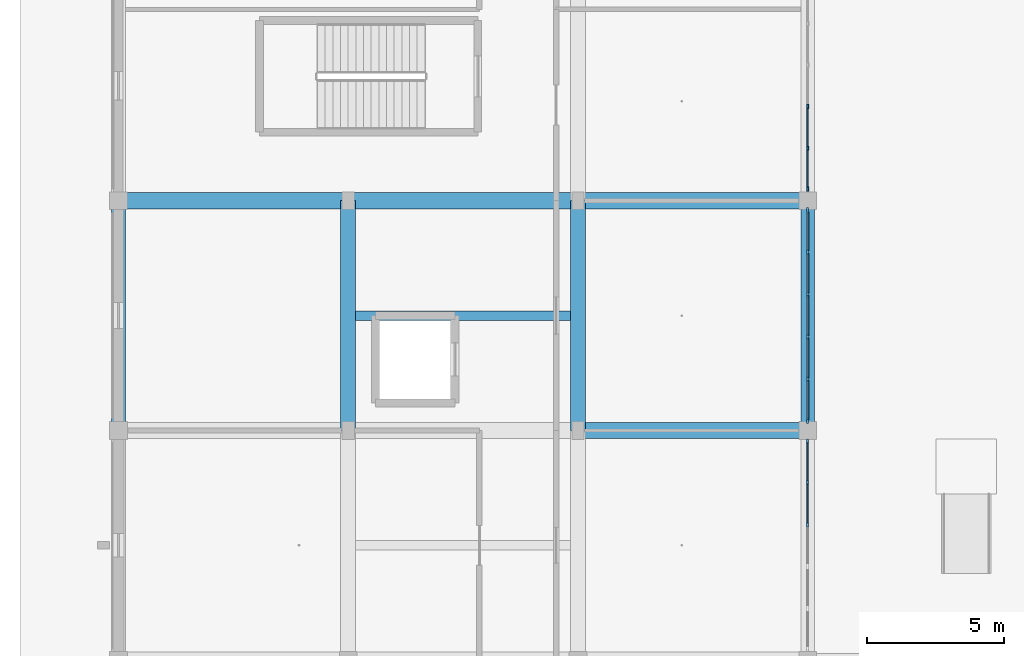
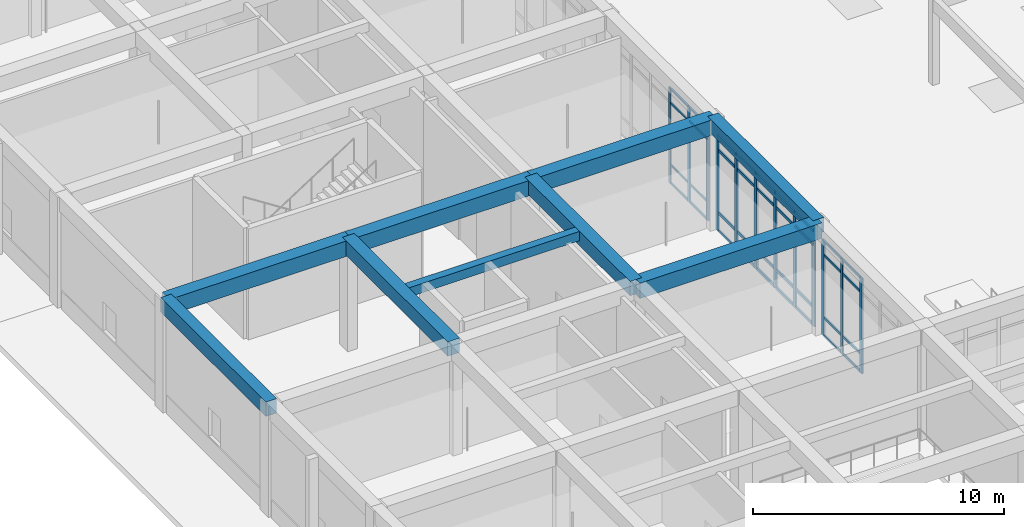
# One storey, part 14 of 167: 48 members, 9 beams, 3 elements without a shape of their own.
"""IFC4 building model written with IfcOpenShell, lengths in metres."""

from ifc_helpers import new_model, si_unit, direction, frame, origin, origin_2d, place, context, subcontext, project, spatial, rectangle, extrude, material, material_profile, profile_set, type_object, element, aggregate, save


model = new_model("IFC4")

# Units and contexts
model_context = context("Model", 3, precision=1e-05, world=origin(), true_north=direction((0.0, 1.0)))
body_context = subcontext(model_context, "Body", "Model", "MODEL_VIEW")
ifc_project = project(units=[si_unit("LENGTHUNIT", "METRE"), si_unit("AREAUNIT", "SQUARE_METRE"), si_unit("VOLUMEUNIT", "CUBIC_METRE"), si_unit("PLANEANGLEUNIT", "RADIAN"), si_unit("MASSUNIT", "GRAM", prefix="KILO")], contexts=[model_context])

# Site, building, storey
site_placement = place(None, origin())
site = spatial("IfcSite", under=ifc_project, at=site_placement, CompositionType="ELEMENT")
building_placement = place(site_placement, origin())
building = spatial("IfcBuilding", under=site, at=building_placement, Name="Varncliffe General Hospital", CompositionType="ELEMENT")
storey_placement = place(building_placement, origin())
storey = spatial("IfcBuildingStorey", under=building, at=storey_placement, Name="L00", CompositionType="ELEMENT", Elevation=0.0)

# Beams
ifc_material_1 = material(Name="Concrete C35/45 (CSA A23.1 35 MPa)", Category="concrete")
ifc_material_profile_1 = material_profile(ifc_material_1, rectangle(XDim=0.60009765625, YDim=0.75, at=origin_2d()), Name="RC 600x750")
ifc_profile_set_1 = profile_set([ifc_material_profile_1], Name="Concrete C35/45 (CSA A23.1 35 MPa)")
beam_type_1 = type_object("IfcBeamType", Name="Beam B23 (Int RC 600x750)", PredefinedType="BEAM", material=ifc_profile_set_1)
for number, where, z_axis, x_axis, name in (
    (1, (16.800048828125, 49.199951171875, 5.02490234375), (1.0, 0.0, 0.0), (0.0, 1.0, 0.0), "L00 Primary Beam B23-69"),
    (2, (0.0, 57.60009765625, 5.02490234375), (1.0, 0.0, 0.0), (0.0, 1.0, 0.0), "L00 Primary Beam B23-73"),
):
    element("IfcBeam", number, at=place(storey_placement, frame(where, z_axis=z_axis, x_axis=x_axis)), inside=storey, type_object=beam_type_1, Name=name, PredefinedType="BEAM", context=body_context, shape_type="SweptSolid", body=[
        extrude(rectangle(XDim=0.60009765625, YDim=0.75, at=origin_2d()), origin(), (0.0, 0.0, 1.0), 8.39990234375),
    ])
beam_1_placement = place(storey_placement, frame((8.39990234375, 57.60009765625, 5.02490234375), z_axis=(1.0, 0.0, 0.0), x_axis=(0.0, 1.0, 0.0)))
element("IfcBeam", 3, at=beam_1_placement, inside=storey, type_object=beam_type_1, Name="L00 Primary Beam B23-74", PredefinedType="BEAM", context=body_context, shape_type="SweptSolid", body=[
    extrude(rectangle(XDim=0.60009765625, YDim=0.75, at=origin_2d()), origin(), (0.0, 0.0, 1.0), 8.400146484375),
])
beam_2_placement = place(storey_placement, frame((16.800048828125, 57.60009765625, 5.02490234375), z_axis=(1.0, 0.0, 0.0), x_axis=(0.0, 1.0, 0.0)))
element("IfcBeam", 4, at=beam_2_placement, inside=storey, type_object=beam_type_1, Name="L00 Primary Beam B23-75", PredefinedType="BEAM", context=body_context, shape_type="SweptSolid", body=[
    extrude(rectangle(XDim=0.60009765625, YDim=0.75, at=origin_2d()), origin(), (0.0, 0.0, 1.0), 8.39990234375),
])
ifc_material_profile_2 = material_profile(ifc_material_1, rectangle(XDim=0.550048828125, YDim=0.699951171875, at=origin_2d()), Name="RC 550x700")
ifc_profile_set_2 = profile_set([ifc_material_profile_2], Name="Concrete C35/45 (CSA A23.1 35 MPa)")
beam_type_2 = type_object("IfcBeamType", Name="Beam B35 (Int RC 550x700)", PredefinedType="BEAM", material=ifc_profile_set_2)
for number, where, z_axis, x_axis, name in (
    (5, (8.39990234375, 49.199951171875, 5.050048828125), (0.0, 1.0, 0.0), (-1.0, 0.0, 0.0), "L00 Primary Beam B35-281"),
    (6, (16.800048828125, 49.199951171875, 5.050048828125), (0.0, 1.0, 0.0), (-1.0, 0.0, 0.0), "L00 Primary Beam B35-297"),
):
    element("IfcBeam", number, at=place(storey_placement, frame(where, z_axis=z_axis, x_axis=x_axis)), inside=storey, type_object=beam_type_2, Name=name, PredefinedType="BEAM", context=body_context, shape_type="SweptSolid", body=[
        extrude(rectangle(XDim=0.550048828125, YDim=0.699951171875, at=origin_2d()), origin(), (0.0, 0.0, 1.0), 8.400146484375),
    ])

# Curtain wall, members
ifc_material_2 = material(Name="Triple low-E argon insulated vision glazing", Category="glass")
curtain_wall_type_1 = type_object("IfcCurtainWallType", Name="Unitised Glazed Curtain Wall CW15 (7674x4640)", PredefinedType="USERDEFINED", material=ifc_material_2)
curtain_wall_1_placement = place(storey_placement, origin())
curtain_wall_1 = element("IfcCurtainWall", 7, at=curtain_wall_1_placement, inside=storey, type_object=curtain_wall_type_1, Name="L00 Glazed Curtain Wall CW15-16", ObjectType="GLAZED CURTAIN WALL", PredefinedType="USERDEFINED")
ifc_material_3 = material(Name="Dark bronze thermally broken aluminium framing", Category="aluminium")
ifc_material_profile_3 = material_profile(ifc_material_3, rectangle(XDim=0.074951171875, YDim=0.179931640625, at=origin_2d()), Name="ALU 75x180")
ifc_profile_set_3 = profile_set([ifc_material_profile_3], Name="Dark bronze thermally broken aluminium framing")
member_type_1 = type_object("IfcMemberType", Name="Curtain Wall Mullion CM44 (ALU 75x180)", PredefinedType="MULLION", material=ifc_profile_set_3)
member_1_placement = place(storey_placement, frame((25.199951171875, 48.799560546875, 0.0), z_axis=(0.0, 0.0, 1.0), x_axis=(1.0, 0.0, 0.0)))
member_1 = element("IfcMember", 8, at=member_1_placement, type_object=member_type_1, Name="CW15 mullion 1", PredefinedType="MULLION", context=body_context, shape_type="SweptSolid", body=[
    extrude(rectangle(XDim=0.074951171875, YDim=0.179931640625, at=origin_2d()), origin(), (0.0, 0.0, 1.0), 4.639892578125),
])
member_2_placement = place(storey_placement, frame((25.199951171875, 47.30224609375, 0.0), z_axis=(0.0, 0.0, 1.0), x_axis=(1.0, 0.0, 0.0)))
member_2 = element("IfcMember", 9, at=member_2_placement, type_object=member_type_1, Name="CW15 mullion 2", PredefinedType="MULLION", context=body_context, shape_type="SweptSolid", body=[
    extrude(rectangle(XDim=0.074951171875, YDim=0.179931640625, at=origin_2d()), origin(), (0.0, 0.0, 1.0), 4.639892578125),
])
member_3_placement = place(storey_placement, frame((25.199951171875, 45.767333984375, 0.0), z_axis=(0.0, 0.0, 1.0), x_axis=(1.0, 0.0, 0.0)))
member_3 = element("IfcMember", 10, at=member_3_placement, type_object=member_type_1, Name="CW15 mullion 3", PredefinedType="MULLION", context=body_context, shape_type="SweptSolid", body=[
    extrude(rectangle(XDim=0.074951171875, YDim=0.179931640625, at=origin_2d()), origin(), (0.0, 0.0, 1.0), 4.639892578125),
])

curtain_wall_type_2 = type_object("IfcCurtainWallType", Name="Unitised Glazed Curtain Wall CW26 (7594x4640)", PredefinedType="USERDEFINED", material=ifc_material_2)
curtain_wall_2_placement = place(storey_placement, origin())
curtain_wall_2 = element("IfcCurtainWall", 11, at=curtain_wall_2_placement, inside=storey, type_object=curtain_wall_type_2, Name="L00 Glazed Curtain Wall CW26-14", ObjectType="GLAZED CURTAIN WALL", PredefinedType="USERDEFINED")
ifc_material_profile_4 = material_profile(ifc_material_3, rectangle(XDim=0.06494140625, YDim=0.159912109375, at=origin_2d()), Name="ALU 65x160")
ifc_profile_set_4 = profile_set([ifc_material_profile_4], Name="Dark bronze thermally broken aluminium framing")
member_type_2 = type_object("IfcMemberType", Name="Curtain Wall Mullion CM65 (ALU 65x160)", PredefinedType="MULLION", material=ifc_profile_set_4)
member_4_placement = place(storey_placement, frame((25.199951171875, 61.04052734375, 0.0), z_axis=(0.0, 0.0, 1.0), x_axis=(1.0, 0.0, 0.0)))
member_4 = element("IfcMember", 12, at=member_4_placement, type_object=member_type_2, Name="CW26 mullion 4", PredefinedType="MULLION", context=body_context, shape_type="SweptSolid", body=[
    extrude(rectangle(XDim=0.06494140625, YDim=0.159912109375, at=origin_2d()), origin(), (0.0, 0.0, 1.0), 4.639892578125),
])
member_5_placement = place(storey_placement, frame((25.199951171875, 59.521728515625, 0.0), z_axis=(0.0, 0.0, 1.0), x_axis=(1.0, 0.0, 0.0)))
member_5 = element("IfcMember", 13, at=member_5_placement, type_object=member_type_2, Name="CW26 mullion 5", PredefinedType="MULLION", context=body_context, shape_type="SweptSolid", body=[
    extrude(rectangle(XDim=0.06494140625, YDim=0.159912109375, at=origin_2d()), origin(), (0.0, 0.0, 1.0), 4.639892578125),
])
member_6_placement = place(storey_placement, frame((25.199951171875, 58.035400390625, 0.0), z_axis=(0.0, 0.0, 1.0), x_axis=(1.0, 0.0, 0.0)))
member_6 = element("IfcMember", 14, at=member_6_placement, type_object=member_type_2, Name="CW26 mullion 6", PredefinedType="MULLION", context=body_context, shape_type="SweptSolid", body=[
    extrude(rectangle(XDim=0.06494140625, YDim=0.159912109375, at=origin_2d()), origin(), (0.0, 0.0, 1.0), 4.639892578125),
])

curtain_wall_type_3 = type_object("IfcCurtainWallType", Name="Unitised Glazed Curtain Wall CW66 (7754x4640)", PredefinedType="USERDEFINED", material=ifc_material_2)
curtain_wall_3_placement = place(storey_placement, origin())
curtain_wall_3 = element("IfcCurtainWall", 15, at=curtain_wall_3_placement, inside=storey, type_object=curtain_wall_type_3, Name="L00 Glazed Curtain Wall CW66-15", ObjectType="GLAZED CURTAIN WALL", PredefinedType="USERDEFINED")
ifc_material_profile_5 = material_profile(ifc_material_3, rectangle(XDim=0.074951171875, YDim=0.219970703125, at=origin_2d()), Name="ALU 75x220")
ifc_profile_set_5 = profile_set([ifc_material_profile_5], Name="Dark bronze thermally broken aluminium framing")
member_type_3 = type_object("IfcMemberType", Name="Curtain Wall Mullion CM74 (ALU 75x220)", PredefinedType="MULLION", material=ifc_profile_set_5)
member_7_placement = place(storey_placement, frame((25.199951171875, 57.239501953125, 0.0), z_axis=(0.0, 0.0, 1.0), x_axis=(1.0, 0.0, 0.0)))
member_7 = element("IfcMember", 16, at=member_7_placement, type_object=member_type_3, Name="CW66 mullion 1", PredefinedType="MULLION", context=body_context, shape_type="SweptSolid", body=[
    extrude(rectangle(XDim=0.074951171875, YDim=0.219970703125, at=origin_2d()), origin(), (0.0, 0.0, 1.0), 4.639892578125),
])
member_8_placement = place(storey_placement, frame((25.199951171875, 55.726318359375, 0.0), z_axis=(0.0, 0.0, 1.0), x_axis=(1.0, 0.0, 0.0)))
member_8 = element("IfcMember", 17, at=member_8_placement, type_object=member_type_3, Name="CW66 mullion 2", PredefinedType="MULLION", context=body_context, shape_type="SweptSolid", body=[
    extrude(rectangle(XDim=0.074951171875, YDim=0.219970703125, at=origin_2d()), origin(), (0.0, 0.0, 1.0), 4.639892578125),
])
member_9_placement = place(storey_placement, frame((25.199951171875, 54.17529296875, 0.0), z_axis=(0.0, 0.0, 1.0), x_axis=(1.0, 0.0, 0.0)))
member_9 = element("IfcMember", 18, at=member_9_placement, type_object=member_type_3, Name="CW66 mullion 3", PredefinedType="MULLION", context=body_context, shape_type="SweptSolid", body=[
    extrude(rectangle(XDim=0.074951171875, YDim=0.219970703125, at=origin_2d()), origin(), (0.0, 0.0, 1.0), 4.639892578125),
])
member_10_placement = place(storey_placement, frame((25.199951171875, 52.62451171875, 0.0), z_axis=(0.0, 0.0, 1.0), x_axis=(1.0, 0.0, 0.0)))
member_10 = element("IfcMember", 19, at=member_10_placement, type_object=member_type_3, Name="CW66 mullion 4", PredefinedType="MULLION", context=body_context, shape_type="SweptSolid", body=[
    extrude(rectangle(XDim=0.074951171875, YDim=0.219970703125, at=origin_2d()), origin(), (0.0, 0.0, 1.0), 4.639892578125),
])
member_11_placement = place(storey_placement, frame((25.199951171875, 51.07373046875, 0.0), z_axis=(0.0, 0.0, 1.0), x_axis=(1.0, 0.0, 0.0)))
member_11 = element("IfcMember", 20, at=member_11_placement, type_object=member_type_3, Name="CW66 mullion 5", PredefinedType="MULLION", context=body_context, shape_type="SweptSolid", body=[
    extrude(rectangle(XDim=0.074951171875, YDim=0.219970703125, at=origin_2d()), origin(), (0.0, 0.0, 1.0), 4.639892578125),
])
member_12_placement = place(storey_placement, frame((25.199951171875, 49.560546875, 0.0), z_axis=(0.0, 0.0, 1.0), x_axis=(1.0, 0.0, 0.0)))
member_12 = element("IfcMember", 21, at=member_12_placement, type_object=member_type_3, Name="CW66 mullion 6", PredefinedType="MULLION", context=body_context, shape_type="SweptSolid", body=[
    extrude(rectangle(XDim=0.074951171875, YDim=0.219970703125, at=origin_2d()), origin(), (0.0, 0.0, 1.0), 4.639892578125),
])

# Member
ifc_material_profile_6 = material_profile(ifc_material_3, rectangle(XDim=0.06005859375, YDim=0.1201171875, at=origin_2d()), Name="ALU 60x120")
ifc_profile_set_6 = profile_set([ifc_material_profile_6], Name="Dark bronze thermally broken aluminium framing")
member_type_4 = type_object("IfcMemberType", Name="Curtain Wall Transom CT14 (ALU 60x120)", PredefinedType="USERDEFINED", material=ifc_profile_set_6)
member_13_placement = place(storey_placement, frame((25.199951171875, 48.761962890625, 0.030029296875), z_axis=(0.0, -1.0, 0.0), x_axis=(1.0, 0.0, 0.0)))
member_13 = element("IfcMember", 22, at=member_13_placement, type_object=member_type_4, Name="CW15 transom 1.1", ObjectType="TRANSOM", PredefinedType="USERDEFINED", context=body_context, shape_type="SweptSolid", body=[
    extrude(rectangle(XDim=0.06005859375, YDim=0.1201171875, at=origin_2d()), origin(), (0.0, 0.0, 1.0), 1.42236328125),
])

member_14_placement = place(storey_placement, frame((25.199951171875, 48.761962890625, 0.89990234375), z_axis=(0.0, -1.0, 0.0), x_axis=(1.0, 0.0, 0.0)))
member_14 = element("IfcMember", 23, at=member_14_placement, type_object=member_type_4, Name="CW15 transom 1.2", ObjectType="TRANSOM", PredefinedType="USERDEFINED", context=body_context, shape_type="SweptSolid", body=[
    extrude(rectangle(XDim=0.06005859375, YDim=0.1201171875, at=origin_2d()), origin(), (0.0, 0.0, 1.0), 1.42236328125),
])

member_15_placement = place(storey_placement, frame((25.199951171875, 48.761962890625, 3.93994140625), z_axis=(0.0, -1.0, 0.0), x_axis=(1.0, 0.0, 0.0)))
member_15 = element("IfcMember", 24, at=member_15_placement, type_object=member_type_4, Name="CW15 transom 1.3", ObjectType="TRANSOM", PredefinedType="USERDEFINED", context=body_context, shape_type="SweptSolid", body=[
    extrude(rectangle(XDim=0.06005859375, YDim=0.1201171875, at=origin_2d()), origin(), (0.0, 0.0, 1.0), 1.42236328125),
])

member_16_placement = place(storey_placement, frame((25.199951171875, 48.761962890625, 4.610107421875), z_axis=(0.0, -1.0, 0.0), x_axis=(1.0, 0.0, 0.0)))
member_16 = element("IfcMember", 25, at=member_16_placement, type_object=member_type_4, Name="CW15 transom 1.4", ObjectType="TRANSOM", PredefinedType="USERDEFINED", context=body_context, shape_type="SweptSolid", body=[
    extrude(rectangle(XDim=0.06005859375, YDim=0.1201171875, at=origin_2d()), origin(), (0.0, 0.0, 1.0), 1.42236328125),
])

member_17_placement = place(storey_placement, frame((25.199951171875, 47.2646484375, 0.030029296875), z_axis=(0.0, -1.0, 0.0), x_axis=(1.0, 0.0, 0.0)))
member_17 = element("IfcMember", 26, at=member_17_placement, type_object=member_type_4, Name="CW15 transom 2.1", ObjectType="TRANSOM", PredefinedType="USERDEFINED", context=body_context, shape_type="SweptSolid", body=[
    extrude(rectangle(XDim=0.06005859375, YDim=0.1201171875, at=origin_2d()), origin(), (0.0, 0.0, 1.0), 1.459716796875),
])

member_18_placement = place(storey_placement, frame((25.199951171875, 47.2646484375, 0.89990234375), z_axis=(0.0, -1.0, 0.0), x_axis=(1.0, 0.0, 0.0)))
member_18 = element("IfcMember", 27, at=member_18_placement, type_object=member_type_4, Name="CW15 transom 2.2", ObjectType="TRANSOM", PredefinedType="USERDEFINED", context=body_context, shape_type="SweptSolid", body=[
    extrude(rectangle(XDim=0.06005859375, YDim=0.1201171875, at=origin_2d()), origin(), (0.0, 0.0, 1.0), 1.459716796875),
])

member_19_placement = place(storey_placement, frame((25.199951171875, 47.2646484375, 3.93994140625), z_axis=(0.0, -1.0, 0.0), x_axis=(1.0, 0.0, 0.0)))
member_19 = element("IfcMember", 28, at=member_19_placement, type_object=member_type_4, Name="CW15 transom 2.3", ObjectType="TRANSOM", PredefinedType="USERDEFINED", context=body_context, shape_type="SweptSolid", body=[
    extrude(rectangle(XDim=0.06005859375, YDim=0.1201171875, at=origin_2d()), origin(), (0.0, 0.0, 1.0), 1.459716796875),
])

member_20_placement = place(storey_placement, frame((25.199951171875, 47.2646484375, 4.610107421875), z_axis=(0.0, -1.0, 0.0), x_axis=(1.0, 0.0, 0.0)))
member_20 = element("IfcMember", 29, at=member_20_placement, type_object=member_type_4, Name="CW15 transom 2.4", ObjectType="TRANSOM", PredefinedType="USERDEFINED", context=body_context, shape_type="SweptSolid", body=[
    extrude(rectangle(XDim=0.06005859375, YDim=0.1201171875, at=origin_2d()), origin(), (0.0, 0.0, 1.0), 1.459716796875),
])

aggregate(curtain_wall_1, [member_1, member_2, member_3, member_13, member_14, member_15, member_16, member_17, member_18, member_19, member_20])

ifc_material_profile_7 = material_profile(ifc_material_3, rectangle(XDim=0.06005859375, YDim=0.10009765625, at=origin_2d()), Name="ALU 60x100")
ifc_profile_set_7 = profile_set([ifc_material_profile_7], Name="Dark bronze thermally broken aluminium framing")
member_type_5 = type_object("IfcMemberType", Name="Curtain Wall Transom CT18 (ALU 60x100)", PredefinedType="USERDEFINED", material=ifc_profile_set_7)
member_21_placement = place(storey_placement, frame((25.199951171875, 61.008056640625, 0.030029296875), z_axis=(0.0, -1.0, 0.0), x_axis=(1.0, 0.0, 0.0)))
member_21 = element("IfcMember", 30, at=member_21_placement, type_object=member_type_5, Name="CW26 transom 4.1", ObjectType="TRANSOM", PredefinedType="USERDEFINED", context=body_context, shape_type="SweptSolid", body=[
    extrude(rectangle(XDim=0.06005859375, YDim=0.10009765625, at=origin_2d()), origin(), (0.0, 0.0, 1.0), 1.453857421875),
])

member_22_placement = place(storey_placement, frame((25.199951171875, 61.008056640625, 0.89990234375), z_axis=(0.0, -1.0, 0.0), x_axis=(1.0, 0.0, 0.0)))
member_22 = element("IfcMember", 31, at=member_22_placement, type_object=member_type_5, Name="CW26 transom 4.2", ObjectType="TRANSOM", PredefinedType="USERDEFINED", context=body_context, shape_type="SweptSolid", body=[
    extrude(rectangle(XDim=0.06005859375, YDim=0.10009765625, at=origin_2d()), origin(), (0.0, 0.0, 1.0), 1.453857421875),
])

member_23_placement = place(storey_placement, frame((25.199951171875, 61.008056640625, 3.93994140625), z_axis=(0.0, -1.0, 0.0), x_axis=(1.0, 0.0, 0.0)))
member_23 = element("IfcMember", 32, at=member_23_placement, type_object=member_type_5, Name="CW26 transom 4.3", ObjectType="TRANSOM", PredefinedType="USERDEFINED", context=body_context, shape_type="SweptSolid", body=[
    extrude(rectangle(XDim=0.06005859375, YDim=0.10009765625, at=origin_2d()), origin(), (0.0, 0.0, 1.0), 1.453857421875),
])

member_24_placement = place(storey_placement, frame((25.199951171875, 61.008056640625, 4.610107421875), z_axis=(0.0, -1.0, 0.0), x_axis=(1.0, 0.0, 0.0)))
member_24 = element("IfcMember", 33, at=member_24_placement, type_object=member_type_5, Name="CW26 transom 4.4", ObjectType="TRANSOM", PredefinedType="USERDEFINED", context=body_context, shape_type="SweptSolid", body=[
    extrude(rectangle(XDim=0.06005859375, YDim=0.10009765625, at=origin_2d()), origin(), (0.0, 0.0, 1.0), 1.453857421875),
])

member_25_placement = place(storey_placement, frame((25.199951171875, 59.4892578125, 0.030029296875), z_axis=(0.0, -1.0, 0.0), x_axis=(1.0, 0.0, 0.0)))
member_25 = element("IfcMember", 34, at=member_25_placement, type_object=member_type_5, Name="CW26 transom 5.1", ObjectType="TRANSOM", PredefinedType="USERDEFINED", context=body_context, shape_type="SweptSolid", body=[
    extrude(rectangle(XDim=0.06005859375, YDim=0.10009765625, at=origin_2d()), origin(), (0.0, 0.0, 1.0), 1.421142578125),
])

member_26_placement = place(storey_placement, frame((25.199951171875, 59.4892578125, 0.89990234375), z_axis=(0.0, -1.0, 0.0), x_axis=(1.0, 0.0, 0.0)))
member_26 = element("IfcMember", 35, at=member_26_placement, type_object=member_type_5, Name="CW26 transom 5.2", ObjectType="TRANSOM", PredefinedType="USERDEFINED", context=body_context, shape_type="SweptSolid", body=[
    extrude(rectangle(XDim=0.06005859375, YDim=0.10009765625, at=origin_2d()), origin(), (0.0, 0.0, 1.0), 1.421142578125),
])

member_27_placement = place(storey_placement, frame((25.199951171875, 59.4892578125, 3.93994140625), z_axis=(0.0, -1.0, 0.0), x_axis=(1.0, 0.0, 0.0)))
member_27 = element("IfcMember", 36, at=member_27_placement, type_object=member_type_5, Name="CW26 transom 5.3", ObjectType="TRANSOM", PredefinedType="USERDEFINED", context=body_context, shape_type="SweptSolid", body=[
    extrude(rectangle(XDim=0.06005859375, YDim=0.10009765625, at=origin_2d()), origin(), (0.0, 0.0, 1.0), 1.421142578125),
])

member_28_placement = place(storey_placement, frame((25.199951171875, 59.4892578125, 4.610107421875), z_axis=(0.0, -1.0, 0.0), x_axis=(1.0, 0.0, 0.0)))
member_28 = element("IfcMember", 37, at=member_28_placement, type_object=member_type_5, Name="CW26 transom 5.4", ObjectType="TRANSOM", PredefinedType="USERDEFINED", context=body_context, shape_type="SweptSolid", body=[
    extrude(rectangle(XDim=0.06005859375, YDim=0.10009765625, at=origin_2d()), origin(), (0.0, 0.0, 1.0), 1.421142578125),
])

aggregate(curtain_wall_2, [member_4, member_5, member_6, member_21, member_22, member_23, member_24, member_25, member_26, member_27, member_28])

ifc_material_profile_8 = material_profile(ifc_material_3, rectangle(XDim=0.06494140625, YDim=0.139892578125, at=origin_2d()), Name="ALU 65x140")
ifc_profile_set_8 = profile_set([ifc_material_profile_8], Name="Dark bronze thermally broken aluminium framing")
member_type_6 = type_object("IfcMemberType", Name="Curtain Wall Transom CT69 (ALU 65x140)", PredefinedType="USERDEFINED", material=ifc_profile_set_8)
member_29_placement = place(storey_placement, frame((25.199951171875, 57.201904296875, 0.032470703125), z_axis=(0.0, -1.0, 0.0), x_axis=(1.0, 0.0, 0.0)))
member_29 = element("IfcMember", 38, at=member_29_placement, type_object=member_type_6, Name="CW66 transom 1.1", ObjectType="TRANSOM", PredefinedType="USERDEFINED", context=body_context, shape_type="SweptSolid", body=[
    extrude(rectangle(XDim=0.06494140625, YDim=0.139892578125, at=origin_2d()), origin(), (0.0, 0.0, 1.0), 1.438232421875),
])

member_30_placement = place(storey_placement, frame((25.199951171875, 57.201904296875, 0.89990234375), z_axis=(0.0, -1.0, 0.0), x_axis=(1.0, 0.0, 0.0)))
member_30 = element("IfcMember", 39, at=member_30_placement, type_object=member_type_6, Name="CW66 transom 1.2", ObjectType="TRANSOM", PredefinedType="USERDEFINED", context=body_context, shape_type="SweptSolid", body=[
    extrude(rectangle(XDim=0.06494140625, YDim=0.139892578125, at=origin_2d()), origin(), (0.0, 0.0, 1.0), 1.438232421875),
])

member_31_placement = place(storey_placement, frame((25.199951171875, 57.201904296875, 3.93994140625), z_axis=(0.0, -1.0, 0.0), x_axis=(1.0, 0.0, 0.0)))
member_31 = element("IfcMember", 40, at=member_31_placement, type_object=member_type_6, Name="CW66 transom 1.3", ObjectType="TRANSOM", PredefinedType="USERDEFINED", context=body_context, shape_type="SweptSolid", body=[
    extrude(rectangle(XDim=0.06494140625, YDim=0.139892578125, at=origin_2d()), origin(), (0.0, 0.0, 1.0), 1.438232421875),
])

member_32_placement = place(storey_placement, frame((25.199951171875, 57.201904296875, 4.607421875), z_axis=(0.0, -1.0, 0.0), x_axis=(1.0, 0.0, 0.0)))
member_32 = element("IfcMember", 41, at=member_32_placement, type_object=member_type_6, Name="CW66 transom 1.4", ObjectType="TRANSOM", PredefinedType="USERDEFINED", context=body_context, shape_type="SweptSolid", body=[
    extrude(rectangle(XDim=0.06494140625, YDim=0.139892578125, at=origin_2d()), origin(), (0.0, 0.0, 1.0), 1.438232421875),
])

member_33_placement = place(storey_placement, frame((25.199951171875, 55.688720703125, 0.032470703125), z_axis=(0.0, -1.0, 0.0), x_axis=(1.0, 0.0, 0.0)))
member_33 = element("IfcMember", 42, at=member_33_placement, type_object=member_type_6, Name="CW66 transom 2.1", ObjectType="TRANSOM", PredefinedType="USERDEFINED", context=body_context, shape_type="SweptSolid", body=[
    extrude(rectangle(XDim=0.06494140625, YDim=0.139892578125, at=origin_2d()), origin(), (0.0, 0.0, 1.0), 1.475830078125),
])

member_34_placement = place(storey_placement, frame((25.199951171875, 55.688720703125, 0.89990234375), z_axis=(0.0, -1.0, 0.0), x_axis=(1.0, 0.0, 0.0)))
member_34 = element("IfcMember", 43, at=member_34_placement, type_object=member_type_6, Name="CW66 transom 2.2", ObjectType="TRANSOM", PredefinedType="USERDEFINED", context=body_context, shape_type="SweptSolid", body=[
    extrude(rectangle(XDim=0.06494140625, YDim=0.139892578125, at=origin_2d()), origin(), (0.0, 0.0, 1.0), 1.475830078125),
])

member_35_placement = place(storey_placement, frame((25.199951171875, 55.688720703125, 3.93994140625), z_axis=(0.0, -1.0, 0.0), x_axis=(1.0, 0.0, 0.0)))
member_35 = element("IfcMember", 44, at=member_35_placement, type_object=member_type_6, Name="CW66 transom 2.3", ObjectType="TRANSOM", PredefinedType="USERDEFINED", context=body_context, shape_type="SweptSolid", body=[
    extrude(rectangle(XDim=0.06494140625, YDim=0.139892578125, at=origin_2d()), origin(), (0.0, 0.0, 1.0), 1.475830078125),
])

member_36_placement = place(storey_placement, frame((25.199951171875, 55.688720703125, 4.607421875), z_axis=(0.0, -1.0, 0.0), x_axis=(1.0, 0.0, 0.0)))
member_36 = element("IfcMember", 45, at=member_36_placement, type_object=member_type_6, Name="CW66 transom 2.4", ObjectType="TRANSOM", PredefinedType="USERDEFINED", context=body_context, shape_type="SweptSolid", body=[
    extrude(rectangle(XDim=0.06494140625, YDim=0.139892578125, at=origin_2d()), origin(), (0.0, 0.0, 1.0), 1.475830078125),
])

member_37_placement = place(storey_placement, frame((25.199951171875, 54.137939453125, 0.032470703125), z_axis=(0.0, -1.0, 0.0), x_axis=(1.0, 0.0, 0.0)))
member_37 = element("IfcMember", 46, at=member_37_placement, type_object=member_type_6, Name="CW66 transom 3.1", ObjectType="TRANSOM", PredefinedType="USERDEFINED", context=body_context, shape_type="SweptSolid", body=[
    extrude(rectangle(XDim=0.06494140625, YDim=0.139892578125, at=origin_2d()), origin(), (0.0, 0.0, 1.0), 1.475830078125),
])

member_38_placement = place(storey_placement, frame((25.199951171875, 54.137939453125, 0.89990234375), z_axis=(0.0, -1.0, 0.0), x_axis=(1.0, 0.0, 0.0)))
member_38 = element("IfcMember", 47, at=member_38_placement, type_object=member_type_6, Name="CW66 transom 3.2", ObjectType="TRANSOM", PredefinedType="USERDEFINED", context=body_context, shape_type="SweptSolid", body=[
    extrude(rectangle(XDim=0.06494140625, YDim=0.139892578125, at=origin_2d()), origin(), (0.0, 0.0, 1.0), 1.475830078125),
])

member_39_placement = place(storey_placement, frame((25.199951171875, 54.137939453125, 3.93994140625), z_axis=(0.0, -1.0, 0.0), x_axis=(1.0, 0.0, 0.0)))
member_39 = element("IfcMember", 48, at=member_39_placement, type_object=member_type_6, Name="CW66 transom 3.3", ObjectType="TRANSOM", PredefinedType="USERDEFINED", context=body_context, shape_type="SweptSolid", body=[
    extrude(rectangle(XDim=0.06494140625, YDim=0.139892578125, at=origin_2d()), origin(), (0.0, 0.0, 1.0), 1.475830078125),
])

member_40_placement = place(storey_placement, frame((25.199951171875, 54.137939453125, 4.607421875), z_axis=(0.0, -1.0, 0.0), x_axis=(1.0, 0.0, 0.0)))
member_40 = element("IfcMember", 49, at=member_40_placement, type_object=member_type_6, Name="CW66 transom 3.4", ObjectType="TRANSOM", PredefinedType="USERDEFINED", context=body_context, shape_type="SweptSolid", body=[
    extrude(rectangle(XDim=0.06494140625, YDim=0.139892578125, at=origin_2d()), origin(), (0.0, 0.0, 1.0), 1.475830078125),
])

member_41_placement = place(storey_placement, frame((25.199951171875, 52.587158203125, 0.032470703125), z_axis=(0.0, -1.0, 0.0), x_axis=(1.0, 0.0, 0.0)))
member_41 = element("IfcMember", 50, at=member_41_placement, type_object=member_type_6, Name="CW66 transom 4.1", ObjectType="TRANSOM", PredefinedType="USERDEFINED", context=body_context, shape_type="SweptSolid", body=[
    extrude(rectangle(XDim=0.06494140625, YDim=0.139892578125, at=origin_2d()), origin(), (0.0, 0.0, 1.0), 1.475830078125),
])

member_42_placement = place(storey_placement, frame((25.199951171875, 52.587158203125, 0.89990234375), z_axis=(0.0, -1.0, 0.0), x_axis=(1.0, 0.0, 0.0)))
member_42 = element("IfcMember", 51, at=member_42_placement, type_object=member_type_6, Name="CW66 transom 4.2", ObjectType="TRANSOM", PredefinedType="USERDEFINED", context=body_context, shape_type="SweptSolid", body=[
    extrude(rectangle(XDim=0.06494140625, YDim=0.139892578125, at=origin_2d()), origin(), (0.0, 0.0, 1.0), 1.475830078125),
])

member_43_placement = place(storey_placement, frame((25.199951171875, 52.587158203125, 3.93994140625), z_axis=(0.0, -1.0, 0.0), x_axis=(1.0, 0.0, 0.0)))
member_43 = element("IfcMember", 52, at=member_43_placement, type_object=member_type_6, Name="CW66 transom 4.3", ObjectType="TRANSOM", PredefinedType="USERDEFINED", context=body_context, shape_type="SweptSolid", body=[
    extrude(rectangle(XDim=0.06494140625, YDim=0.139892578125, at=origin_2d()), origin(), (0.0, 0.0, 1.0), 1.475830078125),
])

member_44_placement = place(storey_placement, frame((25.199951171875, 52.587158203125, 4.607421875), z_axis=(0.0, -1.0, 0.0), x_axis=(1.0, 0.0, 0.0)))
member_44 = element("IfcMember", 53, at=member_44_placement, type_object=member_type_6, Name="CW66 transom 4.4", ObjectType="TRANSOM", PredefinedType="USERDEFINED", context=body_context, shape_type="SweptSolid", body=[
    extrude(rectangle(XDim=0.06494140625, YDim=0.139892578125, at=origin_2d()), origin(), (0.0, 0.0, 1.0), 1.475830078125),
])

member_45_placement = place(storey_placement, frame((25.199951171875, 51.036376953125, 0.032470703125), z_axis=(0.0, -1.0, 0.0), x_axis=(1.0, 0.0, 0.0)))
member_45 = element("IfcMember", 54, at=member_45_placement, type_object=member_type_6, Name="CW66 transom 5.1", ObjectType="TRANSOM", PredefinedType="USERDEFINED", context=body_context, shape_type="SweptSolid", body=[
    extrude(rectangle(XDim=0.06494140625, YDim=0.139892578125, at=origin_2d()), origin(), (0.0, 0.0, 1.0), 1.4384765625),
])

member_46_placement = place(storey_placement, frame((25.199951171875, 51.036376953125, 0.89990234375), z_axis=(0.0, -1.0, 0.0), x_axis=(1.0, 0.0, 0.0)))
member_46 = element("IfcMember", 55, at=member_46_placement, type_object=member_type_6, Name="CW66 transom 5.2", ObjectType="TRANSOM", PredefinedType="USERDEFINED", context=body_context, shape_type="SweptSolid", body=[
    extrude(rectangle(XDim=0.06494140625, YDim=0.139892578125, at=origin_2d()), origin(), (0.0, 0.0, 1.0), 1.4384765625),
])

member_47_placement = place(storey_placement, frame((25.199951171875, 51.036376953125, 3.93994140625), z_axis=(0.0, -1.0, 0.0), x_axis=(1.0, 0.0, 0.0)))
member_47 = element("IfcMember", 56, at=member_47_placement, type_object=member_type_6, Name="CW66 transom 5.3", ObjectType="TRANSOM", PredefinedType="USERDEFINED", context=body_context, shape_type="SweptSolid", body=[
    extrude(rectangle(XDim=0.06494140625, YDim=0.139892578125, at=origin_2d()), origin(), (0.0, 0.0, 1.0), 1.4384765625),
])

member_48_placement = place(storey_placement, frame((25.199951171875, 51.036376953125, 4.607421875), z_axis=(0.0, -1.0, 0.0), x_axis=(1.0, 0.0, 0.0)))
member_48 = element("IfcMember", 57, at=member_48_placement, type_object=member_type_6, Name="CW66 transom 5.4", ObjectType="TRANSOM", PredefinedType="USERDEFINED", context=body_context, shape_type="SweptSolid", body=[
    extrude(rectangle(XDim=0.06494140625, YDim=0.139892578125, at=origin_2d()), origin(), (0.0, 0.0, 1.0), 1.4384765625),
])

aggregate(curtain_wall_3, [member_7, member_8, member_9, member_10, member_11, member_12, member_29, member_30, member_31, member_32, member_33, member_34, member_35, member_36, member_37, member_38, member_39, member_40, member_41, member_42, member_43, member_44, member_45, member_46, member_47, member_48])

# Beams
ifc_material_profile_9 = material_profile(ifc_material_1, rectangle(XDim=0.35009765625, YDim=0.449951171875, at=origin_2d()), Name="RC 350x450")
ifc_profile_set_9 = profile_set([ifc_material_profile_9], Name="Concrete C35/45 (CSA A23.1 35 MPa)")
beam_type_3 = type_object("IfcBeamType", Name="Joist J55 (Int RC 350x450)", PredefinedType="JOIST", material=ifc_profile_set_9)
beam_3_placement = place(storey_placement, frame((8.673095703125, 53.39990234375, 5.175048828125), z_axis=(1.0, 0.0, 0.0), x_axis=(0.0, 1.0, 0.0)))
element("IfcBeam", 58, at=beam_3_placement, inside=storey, type_object=beam_type_3, Name="L00 Secondary Floor Rib J55-5", PredefinedType="JOIST", context=body_context, shape_type="SweptSolid", body=[
    extrude(rectangle(XDim=0.35009765625, YDim=0.449951171875, at=origin_2d()), origin(), (0.0, 0.0, 1.0), 7.85400390625),
])
ifc_material_profile_10 = material_profile(ifc_material_1, rectangle(XDim=0.5, YDim=0.699951171875, at=origin_2d()), Name="RC 500x700")
ifc_profile_set_10 = profile_set([ifc_material_profile_10], Name="Concrete C35/45 (CSA A23.1 35 MPa)")
beam_type_4 = type_object("IfcBeamType", Name="Spandrel SP19 (Ext RC 500x700)", PredefinedType="SPANDREL", material=ifc_profile_set_10)
for number, where, z_axis, x_axis, name in (
    (59, (0.0, 49.199951171875, 5.050048828125), (0.0, 1.0, 0.0), (-1.0, 0.0, 0.0), "L00 Spandrel Beam SP19-265"),
    (60, (25.199951171875, 49.199951171875, 5.050048828125), (0.0, 1.0, 0.0), (-1.0, 0.0, 0.0), "L00 Spandrel Beam SP19-314"),
):
    element("IfcBeam", number, at=place(storey_placement, frame(where, z_axis=z_axis, x_axis=x_axis)), inside=storey, type_object=beam_type_4, Name=name, PredefinedType="SPANDREL", context=body_context, shape_type="SweptSolid", body=[
        extrude(rectangle(XDim=0.5, YDim=0.699951171875, at=origin_2d()), origin(), (0.0, 0.0, 1.0), 8.400146484375),
    ])

save(model, "model.ifc")
